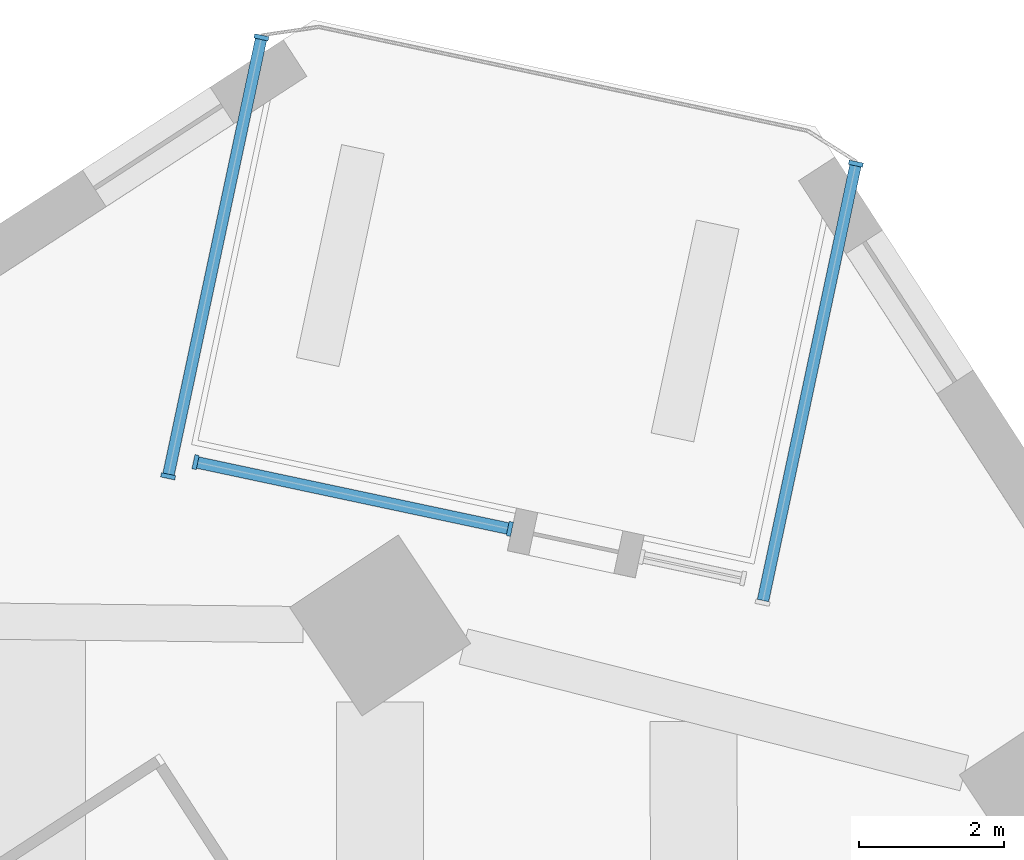
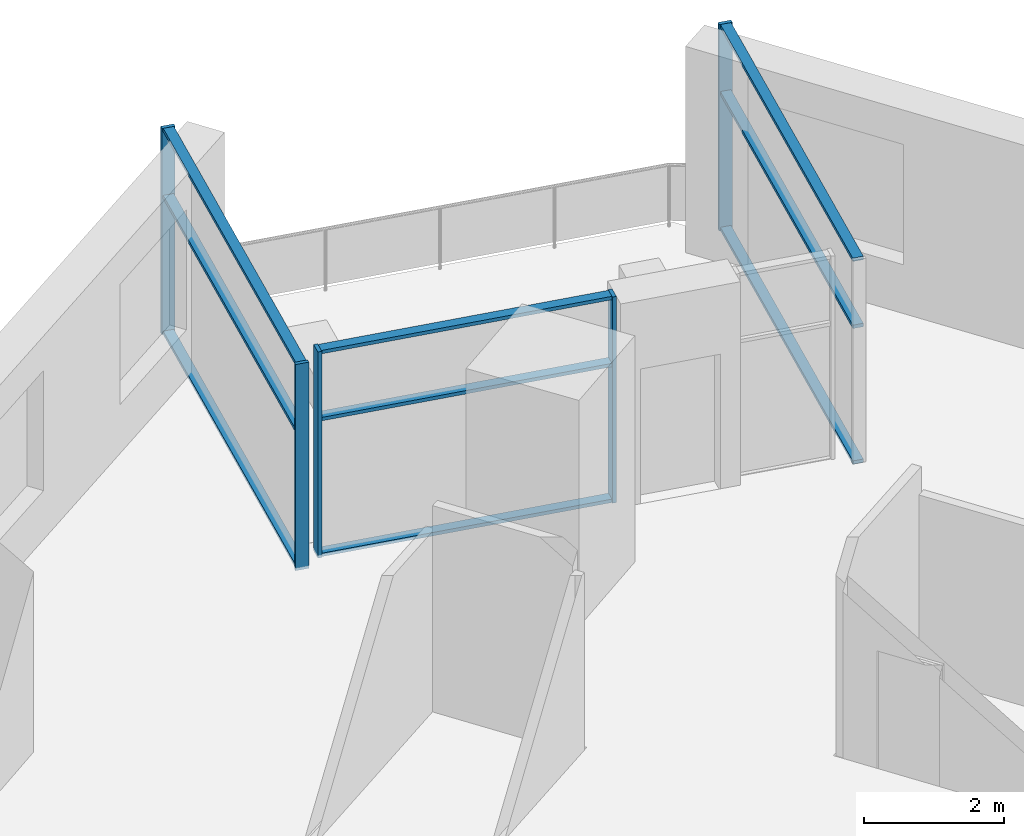
# One storey, part 4 of 12: 14 members, 3 elements without a shape of their own.
"""IFC4 building model written with IfcOpenShell, lengths in metres."""

from ifc_helpers import new_model, si_unit, direction, frame, origin, origin_2d, place, context, subcontext, project, spatial, rectangle, extrude, material, material_profile, profile_set, type_object, element, aggregate, save


model = new_model("IFC4")

# Units and contexts
model_context = context("Model", 3, precision=1e-05, world=origin(), true_north=direction((0.0, 1.0)))
body_context = subcontext(model_context, "Body", "Model", "MODEL_VIEW")
ifc_project = project(units=[si_unit("LENGTHUNIT", "METRE"), si_unit("AREAUNIT", "SQUARE_METRE"), si_unit("VOLUMEUNIT", "CUBIC_METRE"), si_unit("PLANEANGLEUNIT", "RADIAN"), si_unit("MASSUNIT", "GRAM", prefix="KILO")], contexts=[model_context])

# Site, building, storey
site_placement = place(None, origin())
site = spatial("IfcSite", under=ifc_project, at=site_placement, CompositionType="ELEMENT")
building_placement = place(site_placement, origin())
building = spatial("IfcBuilding", under=site, at=building_placement, Name="Dilmun Exchange Tower", CompositionType="ELEMENT")
storey_placement = place(building_placement, frame((0.0, 0.0, 159.699951171875)))
storey = spatial("IfcBuildingStorey", under=building, at=storey_placement, Name="L37", CompositionType="ELEMENT", Elevation=159.699951171875)

# Curtain wall, member
ifc_material_1 = material(Name="Anodised aluminium and clear glass", Category="aluminium")
curtain_wall_type = type_object("IfcCurtainWallType", Name="Garden corner glazing", PredefinedType="NOTDEFINED", material=ifc_material_1)
curtain_wall_1_placement = place(storey_placement, origin())
curtain_wall_1 = element("IfcCurtainWall", 1, at=curtain_wall_1_placement, inside=storey, type_object=curtain_wall_type, Name="Garden corner glazing run GC1.1", PredefinedType="NOTDEFINED")
ifc_material_2 = material(Name="Anodised aluminium", Category="aluminium")
ifc_material_profile_1 = material_profile(ifc_material_2, rectangle(XDim=0.199951171875, YDim=0.06005859375, at=origin_2d()), Name="AL 60x200")
ifc_profile_set_1 = profile_set([ifc_material_profile_1], Name="Anodised aluminium")
member_type_1 = type_object("IfcMemberType", Name="Garden corner glazing mullion 60 x 200", PredefinedType="MULLION", material=ifc_profile_set_1)
member_1_placement = place(storey_placement, frame((14.064453125, 33.775634765625, 0.0), z_axis=(0.0, 0.0, 1.0), x_axis=(0.978147579121, -0.207911792498, 0.0)))
member_1 = element("IfcMember", 2, at=member_1_placement, type_object=member_type_1, Name="GC1.1 mullion 1", PredefinedType="MULLION", context=body_context, shape_type="SweptSolid", body=[
    extrude(rectangle(XDim=0.199951171875, YDim=0.06005859375, at=origin_2d()), origin(), (0.0, 0.0, 1.0), 3.60009765625),
])

# Curtain wall, members
curtain_wall_2_placement = place(storey_placement, origin())
curtain_wall_2 = element("IfcCurtainWall", 3, at=curtain_wall_2_placement, inside=storey, type_object=curtain_wall_type, Name="Garden corner glazing run GC2.3", PredefinedType="NOTDEFINED")
member_2_placement = place(storey_placement, frame((9.294189453125, 28.740966796875, 0.0), z_axis=(0.0, 0.0, 1.0), x_axis=(-0.207925360589, -0.978144695034, 0.0)))
member_2 = element("IfcMember", 4, at=member_2_placement, type_object=member_type_1, Name="GC2.3 mullion 1", PredefinedType="MULLION", context=body_context, shape_type="SweptSolid", body=[
    extrude(rectangle(XDim=0.199951171875, YDim=0.06005859375, at=origin_2d()), origin(), (0.0, 0.0, 1.0), 3.60009765625),
])
member_3_placement = place(storey_placement, frame((4.9619140625, 29.661865234375, 0.0), z_axis=(0.0, 0.0, 1.0), x_axis=(-0.207925360589, -0.978144695034, 0.0)))
member_3 = element("IfcMember", 5, at=member_3_placement, type_object=member_type_1, Name="GC2.3 mullion 2", PredefinedType="MULLION", context=body_context, shape_type="SweptSolid", body=[
    extrude(rectangle(XDim=0.199951171875, YDim=0.06005859375, at=origin_2d()), origin(), (0.0, 0.0, 1.0), 3.60009765625),
])

curtain_wall_3_placement = place(storey_placement, origin())
curtain_wall_3 = element("IfcCurtainWall", 6, at=curtain_wall_3_placement, inside=storey, type_object=curtain_wall_type, Name="Garden corner glazing run GC3.1", PredefinedType="NOTDEFINED")
member_4_placement = place(storey_placement, frame((4.5830078125, 29.46630859375, 0.0), z_axis=(0.0, 0.0, 1.0), x_axis=(-0.978147579121, 0.207911792498, 0.0)))
member_4 = element("IfcMember", 7, at=member_4_placement, type_object=member_type_1, Name="GC3.1 mullion 1", PredefinedType="MULLION", context=body_context, shape_type="SweptSolid", body=[
    extrude(rectangle(XDim=0.199951171875, YDim=0.06005859375, at=origin_2d()), origin(), (0.0, 0.0, 1.0), 3.60009765625),
])
member_5_placement = place(storey_placement, frame((5.869140625, 35.517578125, 0.0), z_axis=(0.0, 0.0, 1.0), x_axis=(-0.978147579121, 0.207911792498, 0.0)))
member_5 = element("IfcMember", 8, at=member_5_placement, type_object=member_type_1, Name="GC3.1 mullion 2", PredefinedType="MULLION", context=body_context, shape_type="SweptSolid", body=[
    extrude(rectangle(XDim=0.199951171875, YDim=0.06005859375, at=origin_2d()), origin(), (0.0, 0.0, 1.0), 3.60009765625),
])

# Member
ifc_material_profile_2 = material_profile(ifc_material_2, rectangle(XDim=0.159912109375, YDim=0.06005859375, at=origin_2d()), Name="AL 60x160")
ifc_profile_set_2 = profile_set([ifc_material_profile_2], Name="Anodised aluminium")
member_type_2 = type_object("IfcMemberType", Name="Garden corner glazing transom 60 x 160", PredefinedType="USERDEFINED", material=ifc_profile_set_2)
member_6_placement = place(storey_placement, frame((14.05810546875, 33.746337890625, 0.030029296875), z_axis=(-0.207904034352, -0.978149228134, 0.0), x_axis=(0.978149228134, -0.207904034352, 0.0)))
member_6 = element("IfcMember", 9, at=member_6_placement, type_object=member_type_2, Name="GC1.1 transom 1.1", ObjectType="TRANSOM", PredefinedType="USERDEFINED", context=body_context, shape_type="SweptSolid", body=[
    extrude(rectangle(XDim=0.159912109375, YDim=0.06005859375, at=origin_2d()), origin(), (0.0, 0.0, 1.0), 6.126220703125),
])

member_7_placement = place(storey_placement, frame((14.05810546875, 33.746337890625, 2.400146484375), z_axis=(-0.207904034352, -0.978149228134, 0.0), x_axis=(0.978149228134, -0.207904034352, 0.0)))
member_7 = element("IfcMember", 10, at=member_7_placement, type_object=member_type_2, Name="GC1.1 transom 1.2", ObjectType="TRANSOM", PredefinedType="USERDEFINED", context=body_context, shape_type="SweptSolid", body=[
    extrude(rectangle(XDim=0.159912109375, YDim=0.06005859375, at=origin_2d()), origin(), (0.0, 0.0, 1.0), 6.126220703125),
])

member_8_placement = place(storey_placement, frame((14.05810546875, 33.746337890625, 3.570068359375), z_axis=(-0.207904034352, -0.978149228134, 0.0), x_axis=(0.978149228134, -0.207904034352, 0.0)))
member_8 = element("IfcMember", 11, at=member_8_placement, type_object=member_type_2, Name="GC1.1 transom 1.3", ObjectType="TRANSOM", PredefinedType="USERDEFINED", context=body_context, shape_type="SweptSolid", body=[
    extrude(rectangle(XDim=0.159912109375, YDim=0.06005859375, at=origin_2d()), origin(), (0.0, 0.0, 1.0), 6.126220703125),
])

aggregate(curtain_wall_1, [member_1, member_6, member_7, member_8])

member_9_placement = place(storey_placement, frame((9.264892578125, 28.7470703125, 0.030029296875), z_axis=(-0.978145357594, 0.207922243679, 0.0), x_axis=(-0.207922243679, -0.978145357594, 0.0)))
member_9 = element("IfcMember", 12, at=member_9_placement, type_object=member_type_2, Name="GC2.3 transom 1.1", ObjectType="TRANSOM", PredefinedType="USERDEFINED", context=body_context, shape_type="SweptSolid", body=[
    extrude(rectangle(XDim=0.159912109375, YDim=0.06005859375, at=origin_2d()), origin(), (0.0, 0.0, 1.0), 4.369140625),
])

member_10_placement = place(storey_placement, frame((9.264892578125, 28.7470703125, 2.400146484375), z_axis=(-0.978145357594, 0.207922243679, 0.0), x_axis=(-0.207922243679, -0.978145357594, 0.0)))
member_10 = element("IfcMember", 13, at=member_10_placement, type_object=member_type_2, Name="GC2.3 transom 1.2", ObjectType="TRANSOM", PredefinedType="USERDEFINED", context=body_context, shape_type="SweptSolid", body=[
    extrude(rectangle(XDim=0.159912109375, YDim=0.06005859375, at=origin_2d()), origin(), (0.0, 0.0, 1.0), 4.369140625),
])

member_11_placement = place(storey_placement, frame((9.264892578125, 28.7470703125, 3.570068359375), z_axis=(-0.978145357594, 0.207922243679, 0.0), x_axis=(-0.207922243679, -0.978145357594, 0.0)))
member_11 = element("IfcMember", 14, at=member_11_placement, type_object=member_type_2, Name="GC2.3 transom 1.3", ObjectType="TRANSOM", PredefinedType="USERDEFINED", context=body_context, shape_type="SweptSolid", body=[
    extrude(rectangle(XDim=0.159912109375, YDim=0.06005859375, at=origin_2d()), origin(), (0.0, 0.0, 1.0), 4.369140625),
])

aggregate(curtain_wall_2, [member_2, member_3, member_9, member_10, member_11])

member_12_placement = place(storey_placement, frame((4.58935546875, 29.49560546875, 0.030029296875), z_axis=(0.207895930462, 0.978150950568, 0.0), x_axis=(-0.978150950568, 0.207895930462, 0.0)))
member_12 = element("IfcMember", 15, at=member_12_placement, type_object=member_type_2, Name="GC3.1 transom 1.1", ObjectType="TRANSOM", PredefinedType="USERDEFINED", context=body_context, shape_type="SweptSolid", body=[
    extrude(rectangle(XDim=0.159912109375, YDim=0.06005859375, at=origin_2d()), origin(), (0.0, 0.0, 1.0), 6.12646484375),
])

member_13_placement = place(storey_placement, frame((4.58935546875, 29.49560546875, 2.400146484375), z_axis=(0.207895930462, 0.978150950568, 0.0), x_axis=(-0.978150950568, 0.207895930462, 0.0)))
member_13 = element("IfcMember", 16, at=member_13_placement, type_object=member_type_2, Name="GC3.1 transom 1.2", ObjectType="TRANSOM", PredefinedType="USERDEFINED", context=body_context, shape_type="SweptSolid", body=[
    extrude(rectangle(XDim=0.159912109375, YDim=0.06005859375, at=origin_2d()), origin(), (0.0, 0.0, 1.0), 6.12646484375),
])

member_14_placement = place(storey_placement, frame((4.58935546875, 29.49560546875, 3.570068359375), z_axis=(0.207895930462, 0.978150950568, 0.0), x_axis=(-0.978150950568, 0.207895930462, 0.0)))
member_14 = element("IfcMember", 17, at=member_14_placement, type_object=member_type_2, Name="GC3.1 transom 1.3", ObjectType="TRANSOM", PredefinedType="USERDEFINED", context=body_context, shape_type="SweptSolid", body=[
    extrude(rectangle(XDim=0.159912109375, YDim=0.06005859375, at=origin_2d()), origin(), (0.0, 0.0, 1.0), 6.12646484375),
])

aggregate(curtain_wall_3, [member_4, member_5, member_12, member_13, member_14])

save(model, "model.ifc")
